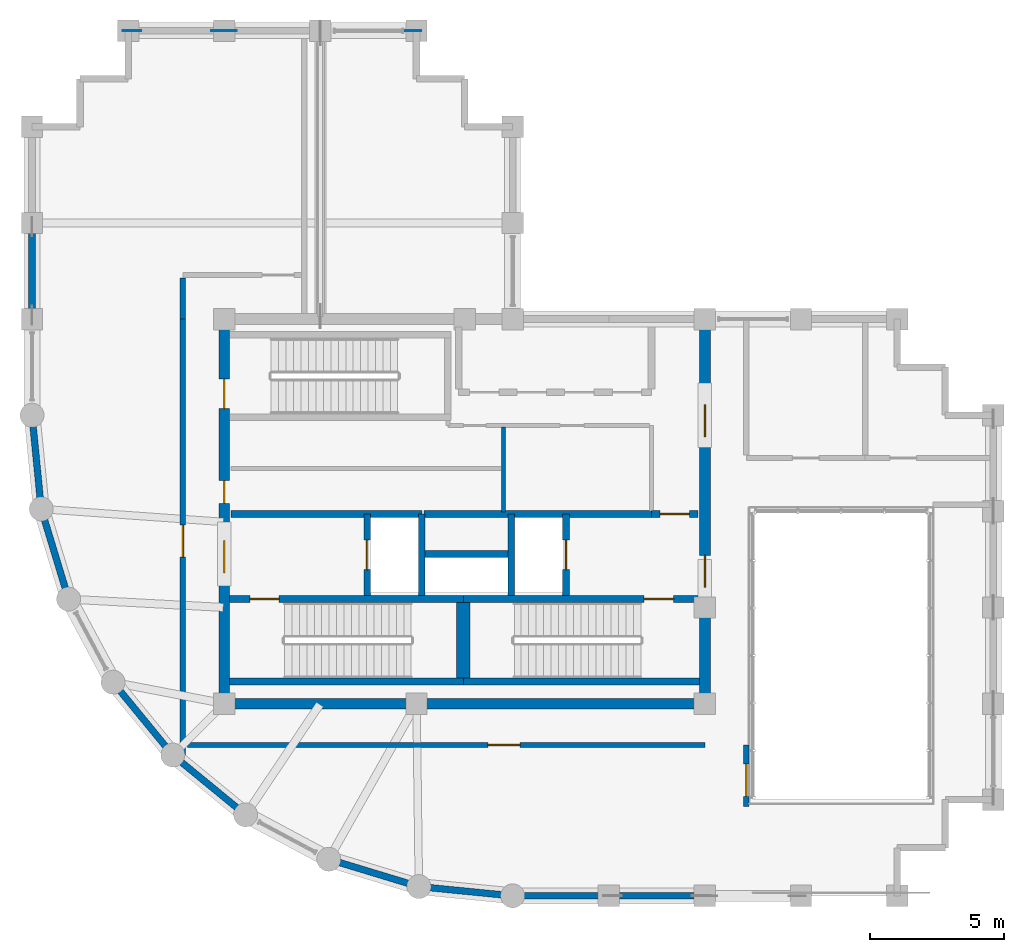
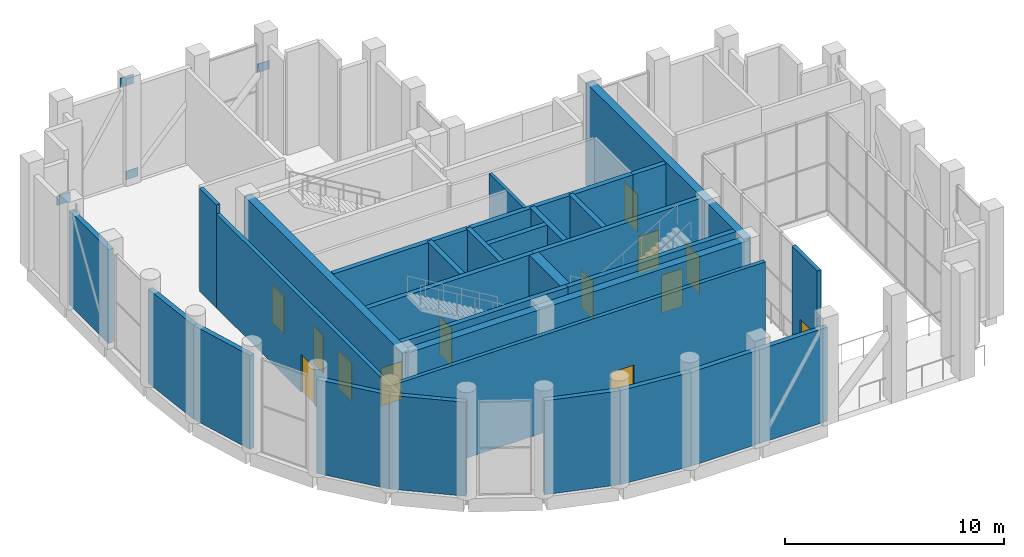
# One storey, part 14 of 17: 30 walls, 13 doors, 4 plates, 13 openings.
"""IFC4 building model written with IfcOpenShell, lengths in metres."""

from ifc_helpers import new_model, si_unit, direction, frame, frame_2d, origin, origin_2d, place, context, subcontext, project, spatial, rectangle, extrude, material, layer, layer_set, type_object, element, fill, save


model = new_model("IFC4")

# Units and contexts
model_context = context("Model", 3, precision=1e-05, world=origin(), true_north=direction((0.0, 1.0)))
body_context = subcontext(model_context, "Body", "Model", "MODEL_VIEW")
ifc_project = project(units=[si_unit("LENGTHUNIT", "METRE"), si_unit("AREAUNIT", "SQUARE_METRE"), si_unit("VOLUMEUNIT", "CUBIC_METRE"), si_unit("PLANEANGLEUNIT", "RADIAN"), si_unit("MASSUNIT", "GRAM", prefix="KILO")], contexts=[model_context])

# Site, building, storey
site_placement = place(None, origin())
site = spatial("IfcSite", under=ifc_project, at=site_placement, CompositionType="ELEMENT")
building_placement = place(site_placement, origin())
building = spatial("IfcBuilding", under=site, at=building_placement, Name="Solnavia Interchange Tower", CompositionType="ELEMENT")
storey_placement = place(building_placement, frame((0.0, 0.0, 249.800048828125)))
storey = spatial("IfcBuildingStorey", under=building, at=storey_placement, Name="L63", CompositionType="ELEMENT", Elevation=249.800048828125)

# Plates
ifc_material_1 = material(Name="Steel S460", Category="steel")
ifc_layer_1 = layer(ifc_material_1, 0.02490234375)
ifc_layer_set_1 = layer_set([ifc_layer_1], Name="Steel S460")
plate_type_1 = type_object("IfcPlateType", Name="Plate-Gusset-640x480x25", PredefinedType="USERDEFINED", material=ifc_layer_set_1)
for number, where, z_axis, x_axis, name in (
    (1, (14.5400390625, 36.0, 0.06005859375), (0.0, 0.0, 1.0), (1.0, 0.0, 0.0), "PLT-L63-GP21 Belt truss gusset plate"),
    (2, (21.4599609375, 36.0, 3.60986328125), (0.0, 0.0, 1.0), (1.0, 0.0, 0.0), "PLT-L63-GP22 Belt truss gusset plate"),
):
    element("IfcPlate", number, at=place(storey_placement, frame(where, z_axis=z_axis, x_axis=x_axis)), inside=storey, type_object=plate_type_1, Name=name, ObjectType="GUSSET PLATE", PredefinedType="USERDEFINED", context=body_context, shape_type="SweptSolid", body=[
        extrude(rectangle(XDim=0.639892578125, YDim=0.02490234375, at=origin_2d()), origin(), (0.0, 0.0, 1.0), 0.47998046875),
    ])
ifc_layer_2 = layer(ifc_material_1, 0.030029296875)
ifc_layer_set_2 = layer_set([ifc_layer_2], Name="Steel S460")
plate_type_2 = type_object("IfcPlateType", Name="Plate-Gusset-700x520x30", PredefinedType="USERDEFINED", material=ifc_layer_set_2)
for number, where, z_axis, x_axis, name in (
    (3, (10.93994140625, 36.0, -0.080078125), (0.0, 0.0, 1.0), (1.0, 0.0, 0.0), "PLT-L63-GP07 Perimeter brace gusset plate"),
    (4, (14.260009765625, 36.0, 5.31005859375), (0.0, 0.0, 1.0), (1.0, 0.0, 0.0), "PLT-L63-GP08 Perimeter brace gusset plate"),
):
    element("IfcPlate", number, at=place(storey_placement, frame(where, z_axis=z_axis, x_axis=x_axis)), inside=storey, type_object=plate_type_2, Name=name, ObjectType="GUSSET PLATE", PredefinedType="USERDEFINED", context=body_context, shape_type="SweptSolid", body=[
        extrude(rectangle(XDim=0.699951171875, YDim=0.030029296875, at=origin_2d()), origin(), (0.0, 0.0, 1.0), 0.52001953125),
    ])

# Walls
ifc_material_2 = material(Name="Concrete C40/50", Category="concrete")
ifc_layer_3 = layer(ifc_material_2, 0.25)
ifc_layer_set_3 = layer_set([ifc_layer_3], Name="Concrete C40/50")
wall_type_1 = type_object("IfcWallType", Name="Wall-ExtSpandrel-250", PredefinedType="STANDARD", material=ifc_layer_set_3)
wall_1_placement = place(storey_placement, frame((28.800048828125, 3.60009765625, 0.0), z_axis=(0.0, 0.0, 1.0), x_axis=(-1.0, 0.0, 0.0)))
element("IfcWall", 5, at=wall_1_placement, inside=storey, type_object=wall_type_1, Name="EXW-L63-01 Exterior precast spandrel wall", PredefinedType="STANDARD", context=body_context, shape_type="SweptSolid", body=[
    extrude(rectangle(XDim=3.60009765625, YDim=0.25, at=frame_2d((1.800048828125, 0.0))), origin(), (0.0, 0.0, 1.0), 5.22998046875),
])
wall_2_placement = place(storey_placement, frame((32.39990234375, 3.60009765625, 0.0), z_axis=(0.0, 0.0, 1.0), x_axis=(-1.0, 0.0, 0.0)))
element("IfcWall", 6, at=wall_2_placement, inside=storey, type_object=wall_type_1, Name="EXW-L63-02 Exterior precast spandrel wall", PredefinedType="STANDARD", context=body_context, shape_type="SweptSolid", body=[
    extrude(rectangle(XDim=3.599853515625, YDim=0.25, at=frame_2d((1.7998046875, 0.0))), origin(), (0.0, 0.0, 1.0), 5.22998046875),
])
wall_3_placement = place(storey_placement, frame((7.199951171875, 25.199951171875, 0.0), z_axis=(0.0, 0.0, 1.0), x_axis=(0.0, 1.0, 0.0)))
element("IfcWall", 7, at=wall_3_placement, inside=storey, type_object=wall_type_1, Name="EXW-L63-35 Exterior precast spandrel wall", PredefinedType="STANDARD", context=body_context, shape_type="SweptSolid", body=[
    extrude(rectangle(XDim=3.60009765625, YDim=0.25, at=frame_2d((1.800048828125, 0.0))), origin(), (0.0, 0.0, 1.0), 5.22998046875),
])
wall_4_placement = place(storey_placement, frame((7.5458984375, 18.087890625, 0.0), z_axis=(0.0, 0.0, 1.0), x_axis=(-0.09802417461, 0.995184033831, 0.0)))
element("IfcWall", 8, at=wall_4_placement, inside=storey, type_object=wall_type_1, Name="EXW-L63-37 Exterior precast spandrel wall", PredefinedType="STANDARD", context=body_context, shape_type="SweptSolid", body=[
    extrude(rectangle(XDim=3.529296875, YDim=0.25, at=frame_2d((1.7646484375, 0.0))), origin(), (0.0, 0.0, 1.0), 5.22998046875),
])
wall_5_placement = place(storey_placement, frame((8.570068359375, 14.7119140625, 0.0), z_axis=(0.0, 0.0, 1.0), x_axis=(-0.290305086481, 0.956934144423, 0.0)))
element("IfcWall", 9, at=wall_5_placement, inside=storey, type_object=wall_type_1, Name="EXW-L63-38 Exterior precast spandrel wall", PredefinedType="STANDARD", context=body_context, shape_type="SweptSolid", body=[
    extrude(rectangle(XDim=3.52783203125, YDim=0.25, at=frame_2d((1.763916015625, 0.0))), origin(), (0.0, 0.0, 1.0), 5.22998046875),
])
for number, where, z_axis, x_axis, name in (
    (10, (12.471923828125, 8.8720703125, 0.0), (0.0, 0.0, 1.0), (-0.634258295121, 0.773121216285, 0.0), "EXW-L63-40 Exterior precast spandrel wall"),
    (11, (15.199951171875, 6.634033203125, 0.0), (0.0, 0.0, 1.0), (-0.773121216285, 0.634258295121, 0.0), "EXW-L63-41 Exterior precast spandrel wall"),
):
    element("IfcWall", number, at=place(storey_placement, frame(where, z_axis=z_axis, x_axis=x_axis)), inside=storey, type_object=wall_type_1, Name=name, PredefinedType="STANDARD", context=body_context, shape_type="SweptSolid", body=[
        extrude(rectangle(XDim=3.528564453125, YDim=0.25, at=frame_2d((1.76416015625, 0.0))), origin(), (0.0, 0.0, 1.0), 5.22998046875),
    ])
wall_6_placement = place(storey_placement, frame((21.68798828125, 3.946044921875, 0.0), z_axis=(0.0, 0.0, 1.0), x_axis=(-0.956953367403, 0.290241714123, 0.0)))
element("IfcWall", 12, at=wall_6_placement, inside=storey, type_object=wall_type_1, Name="EXW-L63-43 Exterior precast spandrel wall", PredefinedType="STANDARD", context=body_context, shape_type="SweptSolid", body=[
    extrude(rectangle(XDim=3.52783203125, YDim=0.25, at=frame_2d((1.763916015625, 0.0))), origin(), (0.0, 0.0, 1.0), 5.22998046875),
])
wall_7_placement = place(storey_placement, frame((25.199951171875, 3.60009765625, 0.0), z_axis=(0.0, 0.0, 1.0), x_axis=(-0.995183369056, 0.098030923459, 0.0)))
element("IfcWall", 13, at=wall_7_placement, inside=storey, type_object=wall_type_1, Name="EXW-L63-44 Exterior precast spandrel wall", PredefinedType="STANDARD", context=body_context, shape_type="SweptSolid", body=[
    extrude(rectangle(XDim=3.529052734375, YDim=0.25, at=frame_2d((1.7646484375, 0.0))), origin(), (0.0, 0.0, 1.0), 5.22998046875),
])
ifc_material_3 = material(Name="Gypsum Plasterboard & Steel Stud", Category="steel")
ifc_layer_4 = layer(ifc_material_3, 0.14990234375)
ifc_layer_set_4 = layer_set([ifc_layer_4], Name="Gypsum Plasterboard & Steel Stud")
wall_type_2 = type_object("IfcWallType", Name="Wall-Partition-150", PredefinedType="PARTITIONING", material=ifc_layer_set_4)
wall_8_placement = place(storey_placement, frame((24.85009765625, 17.97998046875, 0.0), z_axis=(0.0, 0.0, 1.0), x_axis=(0.0, 1.0, 0.0)))
element("IfcWall", 14, at=wall_8_placement, inside=storey, type_object=wall_type_2, Name="CSW-L63-M1 Core shaft wall", PredefinedType="PARTITIONING", context=body_context, shape_type="SweptSolid", body=[
    extrude(rectangle(XDim=3.169921875, YDim=0.14990234375, at=frame_2d((1.5849609375, 0.0))), origin(), (0.0, 0.0, 1.0), 5.73486328125),
])

# Wall, opening, door
ifc_layer_5 = layer(ifc_material_2, 0.199951171875)
ifc_layer_set_5 = layer_set([ifc_layer_5], Name="Concrete C40/50")
wall_type_3 = type_object("IfcWallType", Name="Wall-PlantFire-200", PredefinedType="PARTITIONING", material=ifc_layer_set_5)
wall_9_placement = place(storey_placement, frame((12.85009765625, 8.69091796875, 0.0), z_axis=(0.0, 0.0, 1.0), x_axis=(0.0, 1.0, 0.0)))
wall_9 = element("IfcWall", 15, at=wall_9_placement, inside=storey, type_object=wall_type_3, Name="PTW-L63-02 Interior partition wall", PredefinedType="PARTITIONING", context=body_context, shape_type="SweptSolid", body=[
    extrude(rectangle(XDim=16.509033203125, YDim=0.199951171875, at=frame_2d((8.25439453125, 0.0))), origin(), (0.0, 0.0, 1.0), 5.22998046875),
])
opening_1_placement = place(wall_9_placement, frame((7.590087890625, 0.0, 0.0)))
opening_1 = element("IfcOpeningElement", 16, at=opening_1_placement, cuts=wall_9, Name="Opening DR-02", PredefinedType="OPENING", context=body_context, shape_type="SweptSolid", body=[
    extrude(rectangle(XDim=1.199951171875, YDim=2.10009765625, at=frame_2d((0.60009765625, 1.050048828125))), frame((0.0, 0.10986328125, 0.0), z_axis=(0.0, -1.0, 0.0), x_axis=(1.0, 0.0, 0.0)), (0.0, 0.0, 1.0), 0.219970703125),
])
ifc_material_4 = material(Name="Steel Fire-Rated Vision-Panel Door", Category="steel")
door_type_1 = type_object("IfcDoorType", Name="Door-LobbyFire-1200x2100", OperationType="SINGLE_SWING_RIGHT", PredefinedType="DOOR", material=ifc_material_4)
door_1_placement = place(opening_1_placement, origin())
door_1 = element("IfcDoor", 17, at=door_1_placement, inside=storey, type_object=door_type_1, Name="DR-L63-01 Interior room door", OperationType="SINGLE_SWING_LEFT", OverallHeight=2.10009765625, OverallWidth=1.199951171875, PredefinedType="DOOR", context=body_context, shape_type="SweptSolid", body=[
    extrude(rectangle(XDim=1.199951171875, YDim=2.10009765625, at=frame_2d((0.60009765625, 1.050048828125))), frame((0.0, 0.02490234375, 0.0), z_axis=(0.0, -1.0, 0.0), x_axis=(1.0, 0.0, 0.0)), (0.0, 0.0, 1.0), 0.050048828125),
])
fill(opening_1, door_1)

# Wall
wall_10_placement = place(storey_placement, frame((12.85009765625, 25.199951171875, 0.0), z_axis=(0.0, 0.0, 1.0), x_axis=(0.0, 1.0, 0.0)))
element("IfcWall", 18, at=wall_10_placement, inside=storey, type_object=wall_type_3, Name="PTW-L63-04 Interior partition wall", PredefinedType="PARTITIONING", context=body_context, shape_type="SweptSolid", body=[
    extrude(rectangle(XDim=1.546142578125, YDim=0.199951171875, at=frame_2d((0.77294921875, 0.0))), origin(), (0.0, 0.0, 1.0), 5.73486328125),
])

# Wall, opening, door
wall_11_placement = place(storey_placement, frame((13.030029296875, 9.25, 0.0), z_axis=(0.0, 0.0, 1.0), x_axis=(1.0, 0.0, 0.0)))
wall_11 = element("IfcWall", 19, at=wall_11_placement, inside=storey, type_object=wall_type_3, Name="PTW-L63-06 Interior partition wall", PredefinedType="PARTITIONING", context=body_context, shape_type="SweptSolid", body=[
    extrude(rectangle(XDim=19.369873046875, YDim=0.199951171875, at=frame_2d((9.68505859375, 0.0))), origin(), (0.0, 0.0, 1.0), 5.419921875),
])
opening_2_placement = place(wall_11_placement, frame((11.2451171875, 0.0, 0.0)))
opening_2 = element("IfcOpeningElement", 20, at=opening_2_placement, cuts=wall_11, Name="Opening DR-02", PredefinedType="OPENING", context=body_context, shape_type="SweptSolid", body=[
    extrude(rectangle(XDim=1.199951171875, YDim=2.10009765625, at=frame_2d((0.60009765625, 1.050048828125))), frame((0.0, 0.10986328125, 0.0), z_axis=(0.0, -1.0, 0.0), x_axis=(1.0, 0.0, 0.0)), (0.0, 0.0, 1.0), 0.219970703125),
])
door_2_placement = place(opening_2_placement, origin())
door_2 = element("IfcDoor", 21, at=door_2_placement, inside=storey, type_object=door_type_1, Name="DR-L63-03 Interior room door", OperationType="SINGLE_SWING_RIGHT", OverallHeight=2.10009765625, OverallWidth=1.199951171875, PredefinedType="DOOR", context=body_context, shape_type="SweptSolid", body=[
    extrude(rectangle(XDim=1.199951171875, YDim=2.10009765625, at=frame_2d((0.60009765625, 1.050048828125))), frame((0.0, 0.02490234375, 0.0), z_axis=(0.0, -1.0, 0.0), x_axis=(1.0, 0.0, 0.0)), (0.0, 0.0, 1.0), 0.050048828125),
])
fill(opening_2, door_2)

wall_12_placement = place(storey_placement, frame((33.949951171875, 9.25, 0.0), z_axis=(0.0, 0.0, 1.0), x_axis=(0.0, -1.0, 0.0)))
wall_12 = element("IfcWall", 22, at=wall_12_placement, inside=storey, type_object=wall_type_3, Name="PTW-L63-07 Interior partition wall", PredefinedType="PARTITIONING", context=body_context, shape_type="SweptSolid", body=[
    extrude(rectangle(XDim=2.300048828125, YDim=0.199951171875, at=frame_2d((1.14990234375, 0.0))), origin(), (0.0, 0.0, 1.0), 5.73486328125),
])
opening_3_placement = place(wall_12_placement, frame((0.719970703125, 0.0, 0.0)))
opening_3 = element("IfcOpeningElement", 23, at=opening_3_placement, cuts=wall_12, Name="Opening DR-02", PredefinedType="OPENING", context=body_context, shape_type="SweptSolid", body=[
    extrude(rectangle(XDim=1.199951171875, YDim=2.10009765625, at=frame_2d((0.60009765625, 1.050048828125))), frame((0.0, 0.10986328125, 0.0), z_axis=(0.0, -1.0, 0.0), x_axis=(1.0, 0.0, 0.0)), (0.0, 0.0, 1.0), 0.219970703125),
])
door_3_placement = place(opening_3_placement, origin())
door_3 = element("IfcDoor", 24, at=door_3_placement, inside=storey, type_object=door_type_1, Name="DR-L63-04 Interior room door", OperationType="SINGLE_SWING_LEFT", OverallHeight=2.10009765625, OverallWidth=1.199951171875, PredefinedType="DOOR", context=body_context, shape_type="SweptSolid", body=[
    extrude(rectangle(XDim=1.199951171875, YDim=2.10009765625, at=frame_2d((0.60009765625, 1.050048828125))), frame((0.0, 0.02490234375, 0.0), z_axis=(0.0, -1.0, 0.0), x_axis=(1.0, 0.0, 0.0)), (0.0, 0.0, 1.0), 0.050048828125),
])
fill(opening_3, door_3)

# Wall
ifc_layer_6 = layer(ifc_material_2, 0.25)
ifc_layer_set_6 = layer_set([ifc_layer_6], Name="Concrete C40/50")
wall_type_4 = type_object("IfcWallType", Name="Wall-ShaftCore-250", PredefinedType="SHEAR", material=ifc_layer_set_6)
wall_13_placement = place(storey_placement, frame((14.60009765625, 11.625, 0.0), z_axis=(0.0, 0.0, 1.0), x_axis=(1.0, 0.0, 0.0)))
element("IfcWall", 25, at=wall_13_placement, inside=storey, type_object=wall_type_4, Name="SHW-L63-ST1S Core shear wall", PredefinedType="SHEAR", context=body_context, shape_type="SweptSolid", body=[
    extrude(rectangle(XDim=8.75, YDim=0.25, at=frame_2d((4.375, 0.0))), origin(), (0.0, 0.0, 1.0), 5.75),
])

# Wall, opening, door
wall_14_placement = place(storey_placement, frame((14.60009765625, 14.715087890625, 0.0), z_axis=(0.0, 0.0, 1.0), x_axis=(1.0, 0.0, 0.0)))
wall_14 = element("IfcWall", 26, at=wall_14_placement, inside=storey, type_object=wall_type_4, Name="SHW-L63-ST1N Core shear wall", PredefinedType="SHEAR", context=body_context, shape_type="SweptSolid", body=[
    extrude(rectangle(XDim=8.75, YDim=0.25, at=frame_2d((4.375, 0.0))), origin(), (0.0, 0.0, 1.0), 5.75),
])
opening_4_placement = place(wall_14_placement, frame((0.7548828125, 0.0, 0.0)))
opening_4 = element("IfcOpeningElement", 27, at=opening_4_placement, cuts=wall_14, Name="Opening DR-01", PredefinedType="OPENING", context=body_context, shape_type="SweptSolid", body=[
    extrude(rectangle(XDim=1.10009765625, YDim=2.10009765625, at=frame_2d((0.550048828125, 1.050048828125))), frame((0.0, 0.135009765625, 0.0), z_axis=(0.0, -1.0, 0.0), x_axis=(1.0, 0.0, 0.0)), (0.0, 0.0, 1.0), 0.27001953125),
])
ifc_material_5 = material(Name="Steel Fire-Rated Leaf & Frame", Category="steel")
door_type_2 = type_object("IfcDoorType", Name="Door-StairFire-1100x2100", OperationType="SINGLE_SWING_LEFT", PredefinedType="DOOR", material=ifc_material_5)
door_4_placement = place(opening_4_placement, origin())
door_4 = element("IfcDoor", 28, at=door_4_placement, inside=storey, type_object=door_type_2, Name="DR-L63-ST1 Core fire door", OperationType="SINGLE_SWING_LEFT", OverallHeight=2.10009765625, OverallWidth=1.10009765625, PredefinedType="DOOR", context=body_context, shape_type="SweptSolid", body=[
    extrude(rectangle(XDim=1.10009765625, YDim=2.10009765625, at=frame_2d((0.550048828125, 1.050048828125))), frame((0.0, 0.02490234375, 0.0), z_axis=(0.0, -1.0, 0.0), x_axis=(1.0, 0.0, 0.0)), (0.0, 0.0, 1.0), 0.050048828125),
])
fill(opening_4, door_4)

# Wall
wall_15_placement = place(storey_placement, frame((23.35009765625, 11.625, 0.0), z_axis=(0.0, 0.0, 1.0), x_axis=(1.0, 0.0, 0.0)))
element("IfcWall", 29, at=wall_15_placement, inside=storey, type_object=wall_type_4, Name="SHW-L63-ST2S Core shear wall", PredefinedType="SHEAR", context=body_context, shape_type="SweptSolid", body=[
    extrude(rectangle(XDim=8.849853515625, YDim=0.25, at=frame_2d((4.4248046875, 0.0))), origin(), (0.0, 0.0, 1.0), 5.75),
])

# Wall, opening, door
wall_16_placement = place(storey_placement, frame((23.35009765625, 14.715087890625, 0.0), z_axis=(0.0, 0.0, 1.0), x_axis=(1.0, 0.0, 0.0)))
wall_16 = element("IfcWall", 30, at=wall_16_placement, inside=storey, type_object=wall_type_4, Name="SHW-L63-ST2N Core shear wall", PredefinedType="SHEAR", context=body_context, shape_type="SweptSolid", body=[
    extrude(rectangle(XDim=8.849853515625, YDim=0.25, at=frame_2d((4.4248046875, 0.0))), origin(), (0.0, 0.0, 1.0), 5.75),
])
opening_5_placement = place(wall_16_placement, frame((6.77490234375, 0.0, 0.0)))
opening_5 = element("IfcOpeningElement", 31, at=opening_5_placement, cuts=wall_16, Name="Opening DR-01", PredefinedType="OPENING", context=body_context, shape_type="SweptSolid", body=[
    extrude(rectangle(XDim=1.10009765625, YDim=2.10009765625, at=frame_2d((0.550048828125, 1.050048828125))), frame((0.0, 0.135009765625, 0.0), z_axis=(0.0, -1.0, 0.0), x_axis=(1.0, 0.0, 0.0)), (0.0, 0.0, 1.0), 0.27001953125),
])
door_5_placement = place(opening_5_placement, origin())
door_5 = element("IfcDoor", 32, at=door_5_placement, inside=storey, type_object=door_type_2, Name="DR-L63-ST2 Core fire door", OperationType="SINGLE_SWING_LEFT", OverallHeight=2.10009765625, OverallWidth=1.10009765625, PredefinedType="DOOR", context=body_context, shape_type="SweptSolid", body=[
    extrude(rectangle(XDim=1.10009765625, YDim=2.10009765625, at=frame_2d((0.550048828125, 1.050048828125))), frame((0.0, 0.02490234375, 0.0), z_axis=(0.0, -1.0, 0.0), x_axis=(1.0, 0.0, 0.0)), (0.0, 0.0, 1.0), 0.050048828125),
])
fill(opening_5, door_5)

# Wall
ifc_layer_7 = layer(ifc_material_2, 0.25)
ifc_layer_set_7 = layer_set([ifc_layer_7], Name="Concrete C40/50")
wall_type_5 = type_object("IfcWallType", Name="Wall-ShaftPart-250", PredefinedType="PARTITIONING", material=ifc_layer_set_7)
wall_17_placement = place(storey_placement, frame((14.64990234375, 17.89990234375, 0.0), z_axis=(0.0, 0.0, 1.0), x_axis=(1.0, 0.0, 0.0)))
element("IfcWall", 33, at=wall_17_placement, inside=storey, type_object=wall_type_5, Name="SHW-L63-FFLW-N Core shaft wall", PredefinedType="PARTITIONING", context=body_context, shape_type="SweptSolid", body=[
    extrude(rectangle(XDim=7.150146484375, YDim=0.25, at=frame_2d((3.5751953125, 0.0))), origin(), (0.0, 0.0, 1.0), 5.73486328125),
])

# Wall, opening, door
wall_18_placement = place(storey_placement, frame((19.75, 14.840087890625, 0.0), z_axis=(0.0, 0.0, 1.0), x_axis=(0.0, 1.0, 0.0)))
wall_18 = element("IfcWall", 34, at=wall_18_placement, inside=storey, type_object=wall_type_5, Name="SHW-L63-FFL1-W Core shaft wall", PredefinedType="PARTITIONING", context=body_context, shape_type="SweptSolid", body=[
    extrude(rectangle(XDim=3.059814453125, YDim=0.25, at=frame_2d((1.52978515625, 0.0))), origin(), (0.0, 0.0, 1.0), 5.73486328125),
])
opening_6_placement = place(wall_18_placement, frame((0.97998046875, 0.0, 0.0)))
opening_6 = element("IfcOpeningElement", 35, at=opening_6_placement, cuts=wall_18, Name="Opening LD-01", PredefinedType="OPENING", context=body_context, shape_type="SweptSolid", body=[
    extrude(rectangle(XDim=1.10009765625, YDim=2.10009765625, at=frame_2d((0.550048828125, 1.050048828125))), frame((0.0, 0.135009765625, 0.0), z_axis=(0.0, -1.0, 0.0), x_axis=(1.0, 0.0, 0.0)), (0.0, 0.0, 1.0), 0.27001953125),
])
ifc_material_6 = material(Name="Brushed Stainless Steel Sliding Door", Category="steel")
door_type_3 = type_object("IfcDoorType", Name="Door-LiftLanding-1100x2100", OperationType="SLIDING_TO_LEFT", PredefinedType="DOOR", material=ifc_material_6)
door_6_placement = place(opening_6_placement, origin())
door_6 = element("IfcDoor", 36, at=door_6_placement, inside=storey, type_object=door_type_3, Name="LD-L63-FFL1 Lift landing sliding door", OperationType="SLIDING_TO_LEFT", OverallHeight=2.10009765625, OverallWidth=1.10009765625, PredefinedType="DOOR", context=body_context, shape_type="SweptSolid", body=[
    extrude(rectangle(XDim=1.10009765625, YDim=2.10009765625, at=frame_2d((0.550048828125, 1.050048828125))), frame((0.0, 0.02490234375, 0.0), z_axis=(0.0, -1.0, 0.0), x_axis=(1.0, 0.0, 0.0)), (0.0, 0.0, 1.0), 0.050048828125),
])
fill(opening_6, door_6)

# Walls
wall_19_placement = place(storey_placement, frame((21.800048828125, 14.840087890625, 0.0), z_axis=(0.0, 0.0, 1.0), x_axis=(0.0, 1.0, 0.0)))
element("IfcWall", 37, at=wall_19_placement, inside=storey, type_object=wall_type_5, Name="SHW-L63-FFL1-E Core shaft wall", PredefinedType="PARTITIONING", context=body_context, shape_type="SweptSolid", body=[
    extrude(rectangle(XDim=3.059814453125, YDim=0.25, at=frame_2d((1.52978515625, 0.0))), origin(), (0.0, 0.0, 1.0), 5.73486328125),
])
wall_20_placement = place(storey_placement, frame((21.8798828125, 17.89990234375, 0.0), z_axis=(0.0, 0.0, 1.0), x_axis=(1.0, 0.0, 0.0)))
element("IfcWall", 38, at=wall_20_placement, inside=storey, type_object=wall_type_5, Name="SHW-L63-FFLE-N1 Core shaft wall", PredefinedType="PARTITIONING", context=body_context, shape_type="SweptSolid", body=[
    extrude(rectangle(XDim=8.52001953125, YDim=0.25, at=frame_2d((4.260009765625, 0.0))), origin(), (0.0, 0.0, 1.0), 5.73486328125),
])

# Wall, opening, door
wall_21_placement = place(storey_placement, frame((30.39990234375, 17.89990234375, 0.0), z_axis=(0.0, 0.0, 1.0), x_axis=(1.0, 0.0, 0.0)))
wall_21 = element("IfcWall", 39, at=wall_21_placement, inside=storey, type_object=wall_type_5, Name="SHW-L63-FFLE-N2 Core shaft wall", PredefinedType="PARTITIONING", context=body_context, shape_type="SweptSolid", body=[
    extrude(rectangle(XDim=1.75, YDim=0.25, at=frame_2d((0.875, 0.0))), origin(), (0.0, 0.0, 1.0), 5.73486328125),
])
opening_7_placement = place(wall_21_placement, frame((0.320068359375, 0.0, 0.0)))
opening_7 = element("IfcOpeningElement", 40, at=opening_7_placement, cuts=wall_21, Name="Opening DR-01", PredefinedType="OPENING", context=body_context, shape_type="SweptSolid", body=[
    extrude(rectangle(XDim=1.10009765625, YDim=2.10009765625, at=frame_2d((0.550048828125, 1.050048828125))), frame((0.0, 0.135009765625, 0.0), z_axis=(0.0, -1.0, 0.0), x_axis=(1.0, 0.0, 0.0)), (0.0, 0.0, 1.0), 0.27001953125),
])
door_7_placement = place(opening_7_placement, origin())
door_7 = element("IfcDoor", 41, at=door_7_placement, inside=storey, type_object=door_type_2, Name="DR-L63-LLC Core fire door", OperationType="SINGLE_SWING_LEFT", OverallHeight=2.10009765625, OverallWidth=1.10009765625, PredefinedType="DOOR", context=body_context, shape_type="SweptSolid", body=[
    extrude(rectangle(XDim=1.10009765625, YDim=2.10009765625, at=frame_2d((0.550048828125, 1.050048828125))), frame((0.0, 0.02490234375, 0.0), z_axis=(0.0, -1.0, 0.0), x_axis=(1.0, 0.0, 0.0)), (0.0, 0.0, 1.0), 0.050048828125),
])
fill(opening_7, door_7)

# Wall
wall_22_placement = place(storey_placement, frame((25.14990234375, 14.840087890625, 0.0), z_axis=(0.0, 0.0, 1.0), x_axis=(0.0, 1.0, 0.0)))
element("IfcWall", 42, at=wall_22_placement, inside=storey, type_object=wall_type_5, Name="SHW-L63-FFL2-W Core shaft wall", PredefinedType="PARTITIONING", context=body_context, shape_type="SweptSolid", body=[
    extrude(rectangle(XDim=3.059814453125, YDim=0.25, at=frame_2d((1.52978515625, 0.0))), origin(), (0.0, 0.0, 1.0), 5.73486328125),
])

# Wall, opening, door
wall_23_placement = place(storey_placement, frame((27.199951171875, 14.840087890625, 0.0), z_axis=(0.0, 0.0, 1.0), x_axis=(0.0, 1.0, 0.0)))
wall_23 = element("IfcWall", 43, at=wall_23_placement, inside=storey, type_object=wall_type_5, Name="SHW-L63-FFL2-E Core shaft wall", PredefinedType="PARTITIONING", context=body_context, shape_type="SweptSolid", body=[
    extrude(rectangle(XDim=3.059814453125, YDim=0.25, at=frame_2d((1.52978515625, 0.0))), origin(), (0.0, 0.0, 1.0), 5.73486328125),
])
opening_8_placement = place(wall_23_placement, frame((0.97998046875, 0.0, 0.0)))
opening_8 = element("IfcOpeningElement", 44, at=opening_8_placement, cuts=wall_23, Name="Opening LD-01", PredefinedType="OPENING", context=body_context, shape_type="SweptSolid", body=[
    extrude(rectangle(XDim=1.10009765625, YDim=2.10009765625, at=frame_2d((0.550048828125, 1.050048828125))), frame((0.0, 0.135009765625, 0.0), z_axis=(0.0, -1.0, 0.0), x_axis=(1.0, 0.0, 0.0)), (0.0, 0.0, 1.0), 0.27001953125),
])
door_8_placement = place(opening_8_placement, origin())
door_8 = element("IfcDoor", 45, at=door_8_placement, inside=storey, type_object=door_type_3, Name="LD-L63-FFL2 Lift landing sliding door", OperationType="SLIDING_TO_LEFT", OverallHeight=2.10009765625, OverallWidth=1.10009765625, PredefinedType="DOOR", context=body_context, shape_type="SweptSolid", body=[
    extrude(rectangle(XDim=1.10009765625, YDim=2.10009765625, at=frame_2d((0.550048828125, 1.050048828125))), frame((0.0, 0.02490234375, 0.0), z_axis=(0.0, -1.0, 0.0), x_axis=(1.0, 0.0, 0.0)), (0.0, 0.0, 1.0), 0.050048828125),
])
fill(opening_8, door_8)

# Walls
wall_24_placement = place(storey_placement, frame((21.800048828125, 16.39990234375, 0.0), z_axis=(0.0, 0.0, 1.0), x_axis=(1.0, 0.0, 0.0)))
element("IfcWall", 46, at=wall_24_placement, inside=storey, type_object=wall_type_5, Name="SHW-L63-MEP-N Core shaft wall", PredefinedType="PARTITIONING", context=body_context, shape_type="SweptSolid", body=[
    extrude(rectangle(XDim=3.349853515625, YDim=0.25, at=frame_2d((1.6748046875, 0.0))), origin(), (0.0, 0.0, 1.0), 5.73486328125),
])
ifc_material_7 = material(Name="Concrete C50/60", Category="concrete")
ifc_layer_8 = layer(ifc_material_7, 0.39990234375)
ifc_layer_set_8 = layer_set([ifc_layer_8], Name="Concrete C50/60")
wall_type_6 = type_object("IfcWallType", Name="Wall-ShearCore-400", PredefinedType="SHEAR", material=ifc_layer_set_8)
wall_25_placement = place(storey_placement, frame((14.39990234375, 10.800048828125, 0.0), z_axis=(0.0, 0.0, 1.0), x_axis=(1.0, 0.0, 0.0)))
element("IfcWall", 47, at=wall_25_placement, inside=storey, type_object=wall_type_6, Name="CRW-L63-S Core shear wall", PredefinedType="SHEAR", context=body_context, shape_type="SweptSolid", body=[
    extrude(rectangle(XDim=18.0, YDim=0.39990234375, at=frame_2d((9.0, 0.0))), origin(), (0.0, 0.0, 1.0), 5.75),
])

# Wall, openings, doors
wall_26_placement = place(storey_placement, frame((14.39990234375, 10.800048828125, 0.0), z_axis=(0.0, 0.0, 1.0), x_axis=(0.0, 1.0, 0.0)))
wall_26 = element("IfcWall", 48, at=wall_26_placement, inside=storey, type_object=wall_type_6, Name="CRW-L63-W Core shear wall", PredefinedType="SHEAR", context=body_context, shape_type="SweptSolid", body=[
    extrude(rectangle(XDim=14.39990234375, YDim=0.39990234375, at=frame_2d((7.199951171875, 0.0))), origin(), (0.0, 0.0, 1.0), 5.75),
])
opening_9_placement = place(wall_26_placement, frame((11.050048828125, 0.0, 0.0)))
opening_9 = element("IfcOpeningElement", 49, at=opening_9_placement, cuts=wall_26, Name="Opening DR-01", PredefinedType="OPENING", context=body_context, shape_type="SweptSolid", body=[
    extrude(rectangle(XDim=1.10009765625, YDim=2.10009765625, at=frame_2d((0.550048828125, 1.050048828125))), frame((0.0, 0.2099609375, 0.0), z_axis=(0.0, -1.0, 0.0), x_axis=(1.0, 0.0, 0.0)), (0.0, 0.0, 1.0), 0.419921875),
])
opening_10_placement = place(wall_26_placement, frame((4.89990234375, 0.0, 0.0)))
opening_10 = element("IfcOpeningElement", 50, at=opening_10_placement, cuts=wall_26, Name="Opening DR-02", PredefinedType="OPENING", context=body_context, shape_type="SweptSolid", body=[
    extrude(rectangle(XDim=1.199951171875, YDim=2.10009765625, at=frame_2d((0.60009765625, 1.050048828125))), frame((0.0, 0.2099609375, 0.0), z_axis=(0.0, -1.0, 0.0), x_axis=(1.0, 0.0, 0.0)), (0.0, 0.0, 1.0), 0.419921875),
])
opening_11_placement = place(wall_26_placement, frame((7.5, 0.0, 0.0)))
opening_11 = element("IfcOpeningElement", 51, at=opening_11_placement, cuts=wall_26, Name="Opening DR-10", PredefinedType="OPENING", context=body_context, shape_type="SweptSolid", body=[
    extrude(rectangle(XDim=0.85009765625, YDim=2.10009765625, at=frame_2d((0.425048828125, 1.050048828125))), frame((0.0, 0.2099609375, 0.0), z_axis=(0.0, -1.0, 0.0), x_axis=(1.0, 0.0, 0.0)), (0.0, 0.0, 1.0), 0.419921875),
])
ifc_material_8 = material(Name="Moisture-Resistant Timber Door", Category="wood")
door_type_4 = type_object("IfcDoorType", Name="Door-Bathroom-850x2100", OperationType="SINGLE_SWING_RIGHT", PredefinedType="DOOR", material=ifc_material_8)
door_9_placement = place(opening_11_placement, origin())
door_9 = element("IfcDoor", 52, at=door_9_placement, inside=storey, type_object=door_type_4, Name="DR-L63-CS1 Core fire door", OperationType="SINGLE_SWING_RIGHT", OverallHeight=2.10009765625, OverallWidth=0.85009765625, PredefinedType="DOOR", context=body_context, shape_type="SweptSolid", body=[
    extrude(rectangle(XDim=0.85009765625, YDim=2.10009765625, at=frame_2d((0.425048828125, 1.050048828125))), frame((0.0, 0.02490234375, 0.0), z_axis=(0.0, -1.0, 0.0), x_axis=(1.0, 0.0, 0.0)), (0.0, 0.0, 1.0), 0.050048828125),
])
fill(opening_11, door_9)
door_10_placement = place(opening_10_placement, origin())
door_10 = element("IfcDoor", 53, at=door_10_placement, inside=storey, type_object=door_type_1, Name="DR-L63-FFL1W Core fire door", OperationType="SINGLE_SWING_RIGHT", OverallHeight=2.10009765625, OverallWidth=1.199951171875, PredefinedType="DOOR", context=body_context, shape_type="SweptSolid", body=[
    extrude(rectangle(XDim=1.199951171875, YDim=2.10009765625, at=frame_2d((0.60009765625, 1.050048828125))), frame((0.0, 0.02490234375, 0.0), z_axis=(0.0, -1.0, 0.0), x_axis=(1.0, 0.0, 0.0)), (0.0, 0.0, 1.0), 0.050048828125),
])
fill(opening_10, door_10)
door_11_placement = place(opening_9_placement, origin())
door_11 = element("IfcDoor", 54, at=door_11_placement, inside=storey, type_object=door_type_2, Name="DR-L63-ST3 Core fire door", OperationType="SINGLE_SWING_RIGHT", OverallHeight=2.10009765625, OverallWidth=1.10009765625, PredefinedType="DOOR", context=body_context, shape_type="SweptSolid", body=[
    extrude(rectangle(XDim=1.10009765625, YDim=2.10009765625, at=frame_2d((0.550048828125, 1.050048828125))), frame((0.0, 0.02490234375, 0.0), z_axis=(0.0, -1.0, 0.0), x_axis=(1.0, 0.0, 0.0)), (0.0, 0.0, 1.0), 0.050048828125),
])
fill(opening_9, door_11)

wall_27_placement = place(storey_placement, frame((32.39990234375, 10.800048828125, 0.0), z_axis=(0.0, 0.0, 1.0), x_axis=(0.0, 1.0, 0.0)))
wall_27 = element("IfcWall", 55, at=wall_27_placement, inside=storey, type_object=wall_type_6, Name="CRW-L63-E Core shear wall", PredefinedType="SHEAR", context=body_context, shape_type="SweptSolid", body=[
    extrude(rectangle(XDim=14.39990234375, YDim=0.39990234375, at=frame_2d((7.199951171875, 0.0))), origin(), (0.0, 0.0, 1.0), 5.75),
])
opening_12_placement = place(wall_27_placement, frame((4.35009765625, 0.0, 0.0)))
opening_12 = element("IfcOpeningElement", 56, at=opening_12_placement, cuts=wall_27, Name="Opening DR-02", PredefinedType="OPENING", context=body_context, shape_type="SweptSolid", body=[
    extrude(rectangle(XDim=1.199951171875, YDim=2.10009765625, at=frame_2d((0.60009765625, 1.050048828125))), frame((0.0, 0.2099609375, 0.0), z_axis=(0.0, -1.0, 0.0), x_axis=(1.0, 0.0, 0.0)), (0.0, 0.0, 1.0), 0.419921875),
])
opening_13_placement = place(wall_27_placement, frame((10.0, 0.0, 0.0)))
opening_13 = element("IfcOpeningElement", 57, at=opening_13_placement, cuts=wall_27, Name="Opening DR-02", PredefinedType="OPENING", context=body_context, shape_type="SweptSolid", body=[
    extrude(rectangle(XDim=1.199951171875, YDim=2.10009765625, at=frame_2d((0.60009765625, 1.050048828125))), frame((0.0, 0.2099609375, 0.0), z_axis=(0.0, -1.0, 0.0), x_axis=(1.0, 0.0, 0.0)), (0.0, 0.0, 1.0), 0.419921875),
])
door_12_placement = place(opening_12_placement, origin())
door_12 = element("IfcDoor", 58, at=door_12_placement, inside=storey, type_object=door_type_1, Name="DR-L63-FFL2E Core fire door", OperationType="SINGLE_SWING_LEFT", OverallHeight=2.10009765625, OverallWidth=1.199951171875, PredefinedType="DOOR", context=body_context, shape_type="SweptSolid", body=[
    extrude(rectangle(XDim=1.199951171875, YDim=2.10009765625, at=frame_2d((0.60009765625, 1.050048828125))), frame((0.0, 0.02490234375, 0.0), z_axis=(0.0, -1.0, 0.0), x_axis=(1.0, 0.0, 0.0)), (0.0, 0.0, 1.0), 0.050048828125),
])
fill(opening_12, door_12)
door_13_placement = place(opening_13_placement, origin())
door_13 = element("IfcDoor", 59, at=door_13_placement, inside=storey, type_object=door_type_1, Name="DR-L63-LLE Core fire door", OperationType="SINGLE_SWING_RIGHT", OverallHeight=2.10009765625, OverallWidth=1.199951171875, PredefinedType="DOOR", context=body_context, shape_type="SweptSolid", body=[
    extrude(rectangle(XDim=1.199951171875, YDim=2.10009765625, at=frame_2d((0.60009765625, 1.050048828125))), frame((0.0, 0.02490234375, 0.0), z_axis=(0.0, -1.0, 0.0), x_axis=(1.0, 0.0, 0.0)), (0.0, 0.0, 1.0), 0.050048828125),
])
fill(opening_13, door_13)

# Wall
ifc_material_9 = material(Name="Concrete C60/75", Category="concrete")
ifc_layer_9 = layer(ifc_material_9, 0.5)
ifc_layer_set_9 = layer_set([ifc_layer_9], Name="Concrete C60/75")
wall_type_7 = type_object("IfcWallType", Name="Wall-ShearCore-500", PredefinedType="SHEAR", material=ifc_layer_set_9)
wall_28_placement = place(storey_placement, frame((23.35009765625, 11.75, 0.0), z_axis=(0.0, 0.0, 1.0), x_axis=(0.0, 1.0, 0.0)))
element("IfcWall", 60, at=wall_28_placement, inside=storey, type_object=wall_type_7, Name="SHW-L63-ST12M Core shear wall", PredefinedType="SHEAR", context=body_context, shape_type="SweptSolid", body=[
    extrude(rectangle(XDim=2.840087890625, YDim=0.5, at=frame_2d((1.419921875, 0.0))), origin(), (0.0, 0.0, 1.0), 5.75),
])

save(model, "model.ifc")
